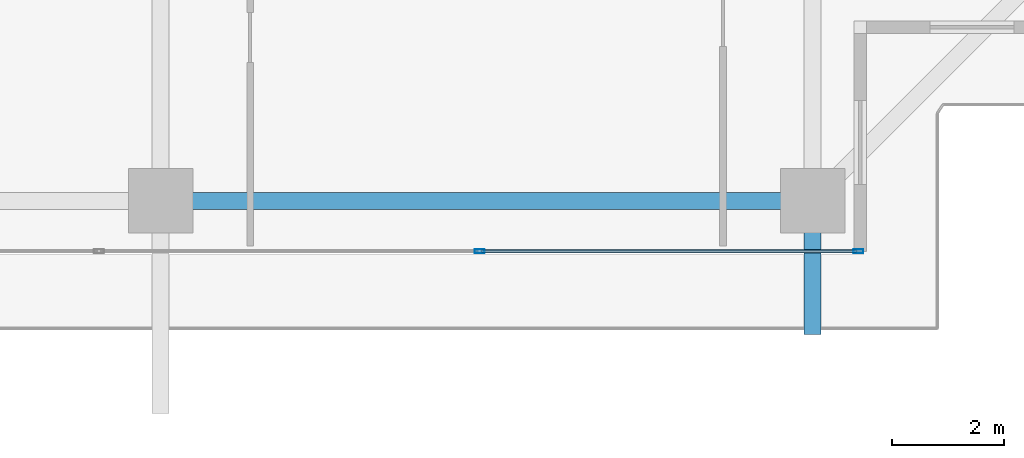
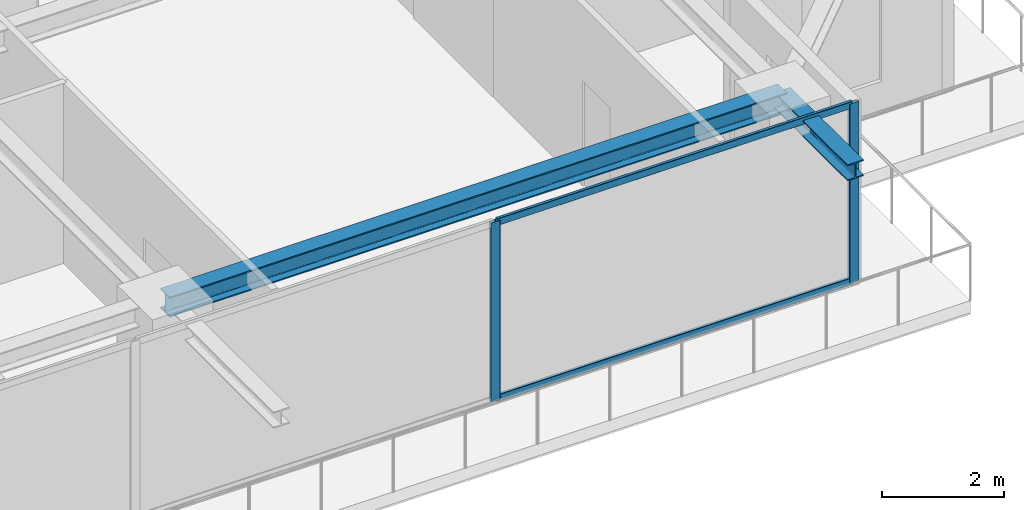
# One storey, part 12 of 39: 4 members, 2 beams, 1 element without a shape of its own.
"""IFC4 building model written with IfcOpenShell, lengths in metres."""

from ifc_helpers import new_model, si_unit, direction, frame, origin, origin_2d, place, context, subcontext, project, spatial, hollow_rectangle, i_section, extrude, source, transform, mapped, material, layer, layer_set, material_profile, profile_set, type_object, element, aggregate, save


model = new_model("IFC4")

# Units and contexts
model_context = context("Model", 3, precision=1e-05, world=origin(), true_north=direction((0.0, 1.0)))
body_context = subcontext(model_context, "Body", "Model", "MODEL_VIEW")
ifc_project = project(units=[si_unit("LENGTHUNIT", "METRE"), si_unit("AREAUNIT", "SQUARE_METRE"), si_unit("VOLUMEUNIT", "CUBIC_METRE"), si_unit("PLANEANGLEUNIT", "RADIAN"), si_unit("MASSUNIT", "GRAM", prefix="KILO")], contexts=[model_context])

# Site, building, storey
site_placement = place(None, origin())
site = spatial("IfcSite", under=ifc_project, at=site_placement, CompositionType="ELEMENT")
building_placement = place(site_placement, origin())
building = spatial("IfcBuilding", under=site, at=building_placement, Name="Serunith Strait Residences", CompositionType="ELEMENT")
storey_placement = place(building_placement, frame((0.0, 0.0, 222.0)))
storey = spatial("IfcBuildingStorey", under=building, at=storey_placement, Name="L55", CompositionType="ELEMENT", Elevation=222.0)

# Beams
ifc_material_1 = material(Name="Steel S355J2", Category="steel")
ifc_material_profile_1 = material_profile(ifc_material_1, i_section(OverallWidth=0.300048828125, OverallDepth=0.39990234375, WebThickness=0.013427734375, FlangeThickness=0.02392578125, FilletRadius=0.027099609375, at=origin_2d()), Name="HEB 400")
ifc_profile_set_1 = profile_set([ifc_material_profile_1], Name="Steel S355J2")
beam_type_1 = type_object("IfcBeamType", Name="BM-HEB400", PredefinedType="BEAM", material=ifc_profile_set_1)
shared_shape_1 = source(origin(), body_context, "Body", "SweptSolid", [
    extrude(i_section(OverallWidth=0.300048828125, OverallDepth=0.39990234375, WebThickness=0.013427734375, FlangeThickness=0.02392578125, FilletRadius=0.027099609375, at=origin_2d()), origin(), (0.0, 0.0, 1.0), 11.650146484375),
])
beam_1_placement = place(storey_placement, frame((36.89990234375, 2.10009765625, 3.386962890625), z_axis=(1.0, 0.0, 0.0), x_axis=(0.0, 1.0, 0.0)))
element("IfcBeam", 1, at=beam_1_placement, inside=storey, type_object=beam_type_1, Name="L55 Perimeter Ring Beam 03", PredefinedType="BEAM", context=body_context, shape_type="MappedRepresentation", body=[
    mapped(shared_shape_1, transform((0.0, 0.0, 0.0), scale=1.0)),
])
ifc_material_profile_2 = material_profile(ifc_material_1, i_section(OverallWidth=0.300048828125, OverallDepth=0.320068359375, WebThickness=0.011474609375, FlangeThickness=0.0205078125, FilletRadius=0.027099609375, at=origin_2d()), Name="HEB 320")
ifc_profile_set_2 = profile_set([ifc_material_profile_2], Name="Steel S355J2")
beam_type_2 = type_object("IfcBeamType", Name="BM-HEB320", PredefinedType="BEAM", material=ifc_profile_set_2)
shared_shape_2 = source(origin(), body_context, "Body", "SweptSolid", [
    extrude(i_section(OverallWidth=0.300048828125, OverallDepth=0.320068359375, WebThickness=0.011474609375, FlangeThickness=0.0205078125, FilletRadius=0.027099609375, at=origin_2d()), origin(), (0.0, 0.0, 1.0), 2.387451171875),
])
beam_2_placement = place(storey_placement, frame((48.550048828125, 2.10009765625, 3.39697265625), z_axis=(0.0, -1.0, 0.0), x_axis=(1.0, 0.0, 0.0)))
element("IfcBeam", 2, at=beam_2_placement, inside=storey, type_object=beam_type_2, Name="L56 Cantilevered Balcony Rib TC-S4", PredefinedType="BEAM", context=body_context, shape_type="MappedRepresentation", body=[
    mapped(shared_shape_2, transform((0.0, 0.0, 0.0), scale=1.0)),
])

# Curtain wall, members
ifc_material_2 = material(Name="Pale-Champagne Anodised Aluminium", Category="aluminium")
ifc_layer = layer(ifc_material_2, 0.199951171875, Name="Pale-Champagne Anodised Aluminium")
ifc_layer_set = layer_set([ifc_layer], Name="Pale-Champagne Anodised Aluminium")
curtain_wall_type = type_object("IfcCurtainWallType", Name="CW-SYS4", PredefinedType="NOTDEFINED", material=ifc_layer_set)
curtain_wall_placement = place(storey_placement, origin())
curtain_wall = element("IfcCurtainWall", 3, at=curtain_wall_placement, inside=storey, type_object=curtain_wall_type, Name="L55 S Unitised Fritted Curtain Wall", PredefinedType="NOTDEFINED")
ifc_material_profile_3 = material_profile(ifc_material_2, hollow_rectangle(XDim=0.06494140625, YDim=0.179931640625, WallThickness=0.00341796875, InnerFilletRadius=0.00537109375, OuterFilletRadius=0.0087890625, at=origin_2d()), Name="ALU 180x65x3.5")
ifc_profile_set_3 = profile_set([ifc_material_profile_3], Name="Pale-Champagne Anodised Aluminium")
member_type_1 = type_object("IfcMemberType", Name="CW-SYS4-MULL", PredefinedType="MULLION", material=ifc_profile_set_3)
shared_shape_3 = source(origin(), body_context, "Body", "SweptSolid", [
    extrude(hollow_rectangle(XDim=0.06494140625, YDim=0.179931640625, WallThickness=0.00341796875, InnerFilletRadius=0.00537109375, OuterFilletRadius=0.0087890625, at=origin_2d()), origin(), (0.0, 0.0, 1.0), 3.574951171875),
])
member_1_placement = place(storey_placement, frame((42.60009765625, 1.199951171875, 0.0), z_axis=(0.0, 0.0, 1.0), x_axis=(0.0, 1.0, 0.0)))
member_1 = element("IfcMember", 4, at=member_1_placement, type_object=member_type_1, Name="CW-4 mullion 5", PredefinedType="MULLION", context=body_context, shape_type="MappedRepresentation", body=[
    mapped(shared_shape_3, transform((0.0, 0.0, 0.0), scale=1.0)),
])
member_2_placement = place(storey_placement, frame((49.367431640625, 1.199951171875, 0.0), z_axis=(0.0, 0.0, 1.0), x_axis=(0.0, 1.0, 0.0)))
member_2 = element("IfcMember", 5, at=member_2_placement, type_object=member_type_1, Name="CW-4 mullion 6", PredefinedType="MULLION", context=body_context, shape_type="MappedRepresentation", body=[
    mapped(shared_shape_3, transform((0.0, 0.0, 0.0), scale=1.0)),
])
ifc_material_profile_4 = material_profile(ifc_material_2, hollow_rectangle(XDim=0.06005859375, YDim=0.139892578125, WallThickness=0.00341796875, InnerFilletRadius=0.00537109375, OuterFilletRadius=0.0087890625, at=origin_2d()), Name="ALU 140x60x3.5")
ifc_profile_set_4 = profile_set([ifc_material_profile_4], Name="Pale-Champagne Anodised Aluminium")
member_type_2 = type_object("IfcMemberType", Name="CW-SYS4-TRAN", PredefinedType="USERDEFINED", material=ifc_profile_set_4)
shared_shape_4 = source(origin(), body_context, "Body", "SweptSolid", [
    extrude(hollow_rectangle(XDim=0.06005859375, YDim=0.139892578125, WallThickness=0.00341796875, InnerFilletRadius=0.00537109375, OuterFilletRadius=0.0087890625, at=origin_2d()), origin(), (0.0, 0.0, 1.0), 6.702392578125),
])
member_3_placement = place(storey_placement, frame((42.632568359375, 1.199951171875, 0.030029296875), z_axis=(1.0, 0.0, 0.0), x_axis=(0.0, 1.0, 0.0)))
member_3 = element("IfcMember", 6, at=member_3_placement, type_object=member_type_2, Name="CW-4 transom 5.1", ObjectType="TRANSOM", PredefinedType="USERDEFINED", context=body_context, shape_type="MappedRepresentation", body=[
    mapped(shared_shape_4, transform((0.0, 0.0, 0.0), scale=1.0)),
])
member_4_placement = place(storey_placement, frame((42.632568359375, 1.199951171875, 3.544921875), z_axis=(1.0, 0.0, 0.0), x_axis=(0.0, 1.0, 0.0)))
member_4 = element("IfcMember", 7, at=member_4_placement, type_object=member_type_2, Name="CW-4 transom 5.2", ObjectType="TRANSOM", PredefinedType="USERDEFINED", context=body_context, shape_type="MappedRepresentation", body=[
    mapped(shared_shape_4, transform((0.0, 0.0, 0.0), scale=1.0)),
])
aggregate(curtain_wall, [member_1, member_2, member_3, member_4])

save(model, "model.ifc")
